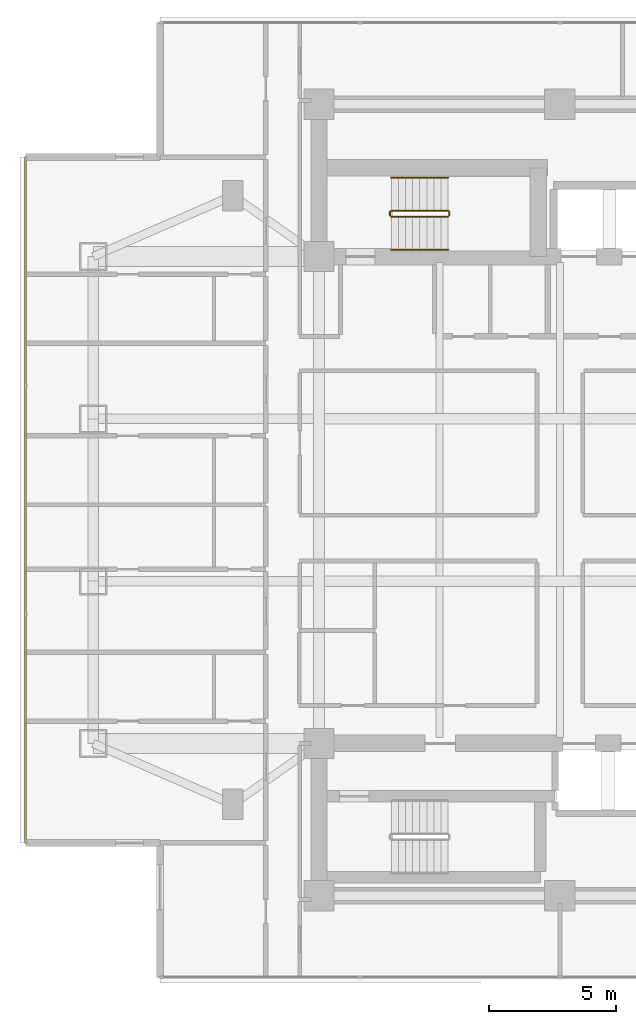
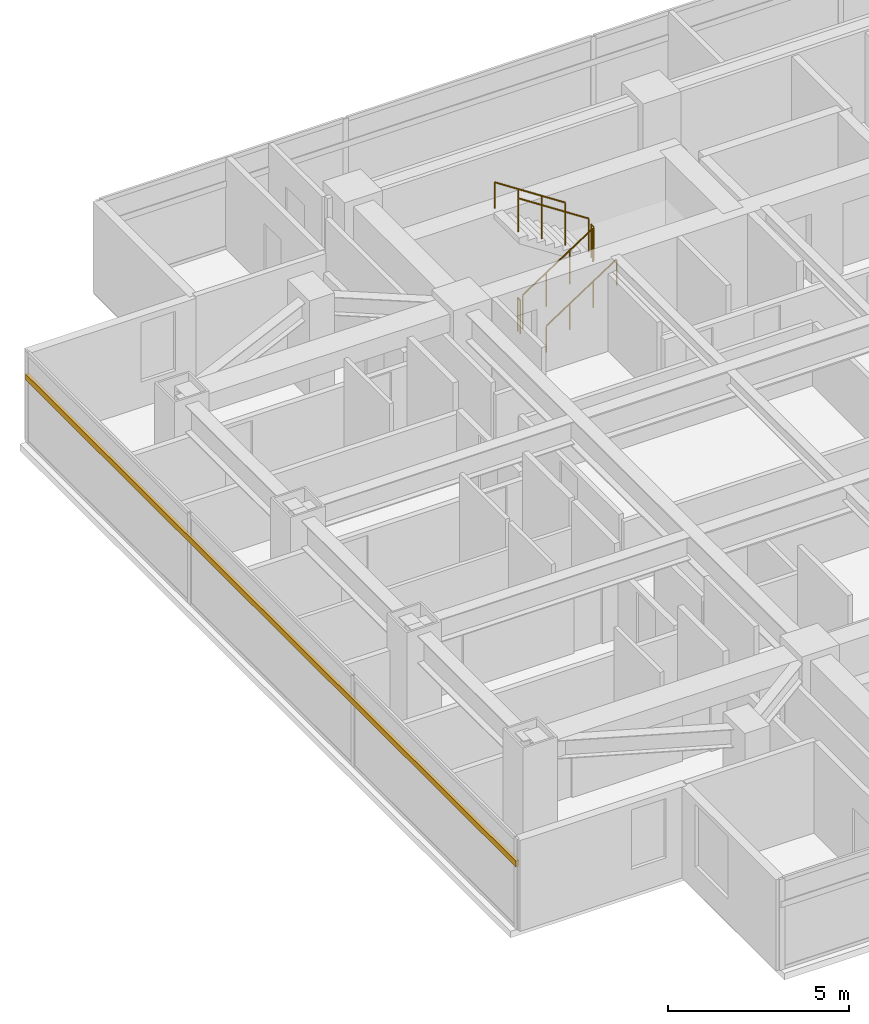
# One storey, part 22 of 26: 6 railings, 1 shading device.
"""IFC4 building model written with IfcOpenShell, lengths in metres."""

from ifc_helpers import new_model, si_unit, direction, frame, origin, origin_2d, place, context, subcontext, project, spatial, rectangle, circle, extrude, material, material_profile, profile_set, type_object, element, save


model = new_model("IFC4")

# Units and contexts
model_context = context("Model", 3, precision=1e-05, world=origin(), true_north=direction((0.0, 1.0)))
body_context = subcontext(model_context, "Body", "Model", "MODEL_VIEW")
ifc_project = project(units=[si_unit("LENGTHUNIT", "METRE"), si_unit("AREAUNIT", "SQUARE_METRE"), si_unit("VOLUMEUNIT", "CUBIC_METRE"), si_unit("PLANEANGLEUNIT", "RADIAN"), si_unit("MASSUNIT", "GRAM", prefix="KILO")], contexts=[model_context])

# Site, building, storey
site_placement = place(None, origin())
site = spatial("IfcSite", under=ifc_project, at=site_placement, CompositionType="ELEMENT")
building_placement = place(site_placement, origin())
building = spatial("IfcBuilding", under=site, at=building_placement, Name="Mirazonda Arch Towers", CompositionType="ELEMENT")
storey_placement = place(building_placement, frame((0.0, 0.0, 98.300048828125)))
storey = spatial("IfcBuildingStorey", under=building, at=storey_placement, Name="L27", CompositionType="ELEMENT", Elevation=98.300048828125)

# Shading device
ifc_material_1 = material(Name="Kiln-Fired Architectural Terracotta", Category="masonry")
ifc_material_profile = material_profile(ifc_material_1, rectangle(XDim=0.10009765625, YDim=0.199951171875, at=origin_2d()), Name="TERRA-BAG-100x200")
ifc_profile_set = profile_set([ifc_material_profile], Name="Kiln-Fired Architectural Terracotta")
shading_device_type = type_object("IfcShadingDeviceType", Name="BAGUETTE-2", PredefinedType="USERDEFINED", material=ifc_profile_set)
shading_device_placement = place(storey_placement, frame((-0.570068359375, 41.51904296875, 2.203125), z_axis=(0.0, -1.0, 0.0), x_axis=(1.0, 0.0, 0.0)))
element("IfcShadingDevice", 1, at=shading_device_placement, inside=storey, type_object=shading_device_type, Name="L27 Glazed Terracotta Sun-Screen Baguette CW-L27-T1-W", ObjectType="BAGUETTE", PredefinedType="USERDEFINED", context=body_context, shape_type="SweptSolid", body=[
    extrude(rectangle(XDim=0.10009765625, YDim=0.199951171875, at=origin_2d()), origin(), (0.0, 0.0, 1.0), 27.0380859375),
])

# Railings
ifc_material_2 = material(Name="Architectural Brushed Steel S355", Category="steel")
railing_type_1 = type_object("IfcRailingType", Name="GUARD-STAIR-1120", PredefinedType="GUARDRAIL", material=ifc_material_2)
railing_1_placement = place(storey_placement, frame((13.85009765625, 39.169921875, 0.183349609375)))
element("IfcRailing", 2, at=railing_1_placement, inside=storey, type_object=railing_type_1, Name="L27 ST-T1N stair guard 1", PredefinedType="GUARDRAIL", context=body_context, shape_type="SweptSolid", body=[
    extrude(circle(Radius=0.02392578125, at=origin_2d()), frame((0.0, 0.0, 1.1259765625), z_axis=(0.836636935527, 0.0, 0.547757827979), x_axis=(0.0, 1.0, 0.0)), (0.0, 0.0, 1.0), 2.677490234375),
    extrude(circle(Radius=0.02099609375, at=origin_2d()), origin(), (0.0, 0.0, 1.0), 1.101806640625),
    extrude(circle(Radius=0.02099609375, at=origin_2d()), frame((0.74658203125, 0.0, 0.48876953125)), (0.0, 0.0, 1.0), 1.101806640625),
    extrude(circle(Radius=0.02099609375, at=origin_2d()), frame((1.493408203125, 0.0, 0.977783203125)), (0.0, 0.0, 1.0), 1.101806640625),
    extrude(circle(Radius=0.02099609375, at=origin_2d()), frame((2.239990234375, 0.0, 1.466552734375)), (0.0, 0.0, 1.0), 1.101806640625),
])
railing_2_placement = place(storey_placement, frame((16.139892578125, 39.219970703125, 1.64990234375)))
element("IfcRailing", 3, at=railing_2_placement, inside=storey, type_object=railing_type_1, Name="L27 ST-T1N stair guard 2", PredefinedType="GUARDRAIL", context=body_context, shape_type="SweptSolid", body=[
    extrude(circle(Radius=0.02392578125, at=origin_2d()), frame((0.0, 0.0, 1.1259765625), z_axis=(0.0, 1.0, 0.0), x_axis=(-1.0, 0.0, 0.0)), (0.0, 0.0, 1.0), 0.14013671875),
    extrude(circle(Radius=0.02099609375, at=origin_2d()), origin(), (0.0, 0.0, 1.0), 1.101806640625),
    extrude(circle(Radius=0.02099609375, at=origin_2d()), frame((0.0, 0.14013671875, 0.0)), (0.0, 0.0, 1.0), 1.101806640625),
])
railing_3_placement = place(storey_placement, frame((16.090087890625, 39.409912109375, 1.833251953125)))
element("IfcRailing", 4, at=railing_3_placement, inside=storey, type_object=railing_type_1, Name="L27 ST-T1N stair guard 3", PredefinedType="GUARDRAIL", context=body_context, shape_type="SweptSolid", body=[
    extrude(circle(Radius=0.02392578125, at=origin_2d()), frame((0.0, 0.0, 1.1259765625), z_axis=(-0.836595146698, 0.0, 0.547821650285), x_axis=(0.0, -1.0, 0.0)), (0.0, 0.0, 1.0), 2.677490234375),
    extrude(circle(Radius=0.02099609375, at=origin_2d()), origin(), (0.0, 0.0, 1.0), 1.101806640625),
    extrude(circle(Radius=0.02099609375, at=origin_2d()), frame((-0.74658203125, 0.0, 0.489013671875)), (0.0, 0.0, 1.0), 1.101806640625),
    extrude(circle(Radius=0.02099609375, at=origin_2d()), frame((-1.493408203125, 0.0, 0.977783203125)), (0.0, 0.0, 1.0), 1.101806640625),
    extrude(circle(Radius=0.02099609375, at=origin_2d()), frame((-2.239990234375, 0.0, 1.466796875)), (0.0, 0.0, 1.0), 1.101806640625),
])
railing_4_placement = place(storey_placement, frame((13.800048828125, 39.219970703125, 0.0)))
element("IfcRailing", 5, at=railing_4_placement, inside=storey, type_object=railing_type_1, Name="L27 ST-T1N stair guard 4", PredefinedType="GUARDRAIL", context=body_context, shape_type="SweptSolid", body=[
    extrude(circle(Radius=0.02392578125, at=origin_2d()), frame((0.0, 0.0, 1.1259765625), z_axis=(0.0, 1.0, 0.0), x_axis=(-1.0, 0.0, 0.0)), (0.0, 0.0, 1.0), 0.14013671875),
    extrude(circle(Radius=0.02099609375, at=origin_2d()), origin(), (0.0, 0.0, 1.0), 1.101806640625),
    extrude(circle(Radius=0.02099609375, at=origin_2d()), frame((0.0, 0.14013671875, 0.0)), (0.0, 0.0, 1.0), 1.101806640625),
])
railing_type_2 = type_object("IfcRailingType", Name="HANDRAIL-915", PredefinedType="HANDRAIL", material=ifc_material_2)
railing_5_placement = place(storey_placement, frame((13.85009765625, 37.8701171875, 0.183349609375)))
element("IfcRailing", 6, at=railing_5_placement, inside=storey, type_object=railing_type_2, Name="L27 ST-T1N stair handrail 1", PredefinedType="HANDRAIL", context=body_context, shape_type="SweptSolid", body=[
    extrude(circle(Radius=0.02392578125, at=origin_2d()), frame((0.0, 0.0, 0.8759765625), z_axis=(0.836636935527, 0.0, 0.547757827979), x_axis=(0.0, 1.0, 0.0)), (0.0, 0.0, 1.0), 2.677490234375),
    extrude(circle(Radius=0.02099609375, at=origin_2d()), origin(), (0.0, 0.0, 1.0), 0.851806640625),
    extrude(circle(Radius=0.02099609375, at=origin_2d()), frame((0.74658203125, 0.0, 0.48876953125)), (0.0, 0.0, 1.0), 0.851806640625),
    extrude(circle(Radius=0.02099609375, at=origin_2d()), frame((1.493408203125, 0.0, 0.977783203125)), (0.0, 0.0, 1.0), 0.851806640625),
    extrude(circle(Radius=0.02099609375, at=origin_2d()), frame((2.239990234375, 0.0, 1.466552734375)), (0.0, 0.0, 1.0), 0.851806640625),
])
railing_6_placement = place(storey_placement, frame((16.090087890625, 40.7099609375, 1.833251953125)))
element("IfcRailing", 7, at=railing_6_placement, inside=storey, type_object=railing_type_2, Name="L27 ST-T1N stair handrail 2", PredefinedType="HANDRAIL", context=body_context, shape_type="SweptSolid", body=[
    extrude(circle(Radius=0.02392578125, at=origin_2d()), frame((0.0, 0.0, 0.8759765625), z_axis=(-0.836595146698, 0.0, 0.547821650285), x_axis=(0.0, -1.0, 0.0)), (0.0, 0.0, 1.0), 2.677490234375),
    extrude(circle(Radius=0.02099609375, at=origin_2d()), origin(), (0.0, 0.0, 1.0), 0.851806640625),
    extrude(circle(Radius=0.02099609375, at=origin_2d()), frame((-0.74658203125, 0.0, 0.489013671875)), (0.0, 0.0, 1.0), 0.851806640625),
    extrude(circle(Radius=0.02099609375, at=origin_2d()), frame((-1.493408203125, 0.0, 0.977783203125)), (0.0, 0.0, 1.0), 0.851806640625),
    extrude(circle(Radius=0.02099609375, at=origin_2d()), frame((-2.239990234375, 0.0, 1.466796875)), (0.0, 0.0, 1.0), 0.851806640625),
])

save(model, "model.ifc")
